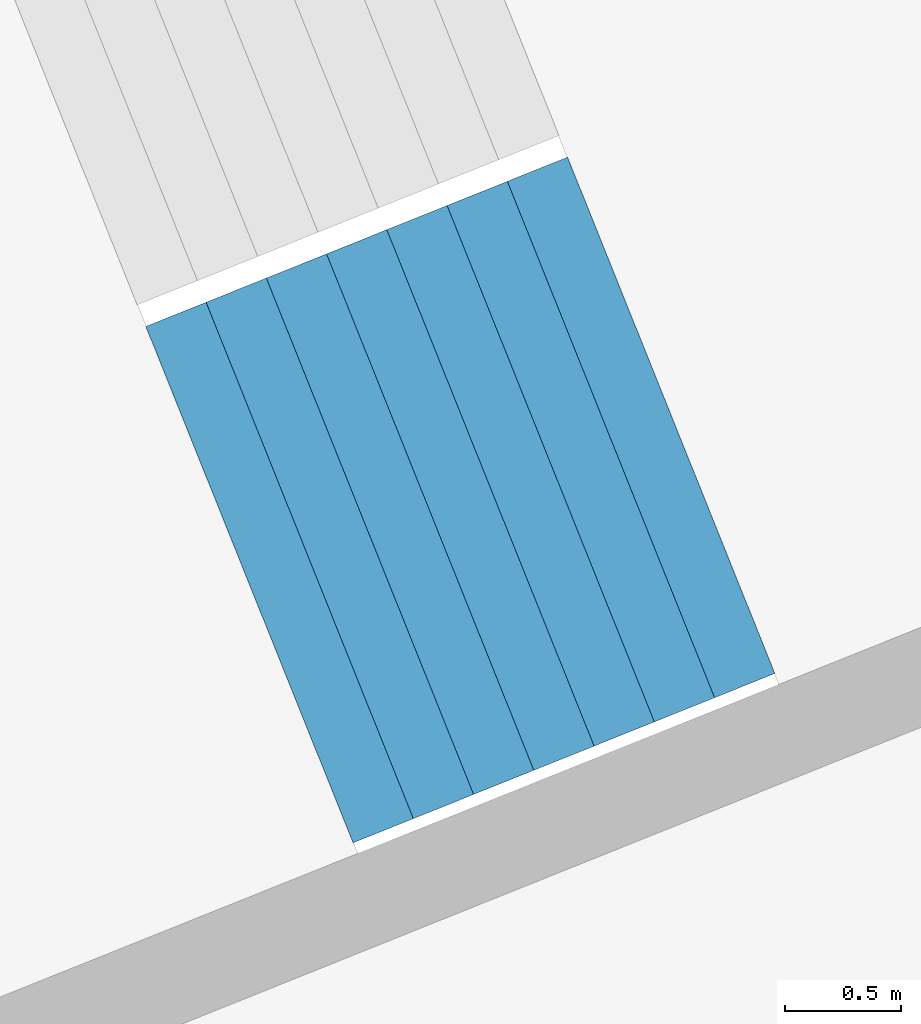
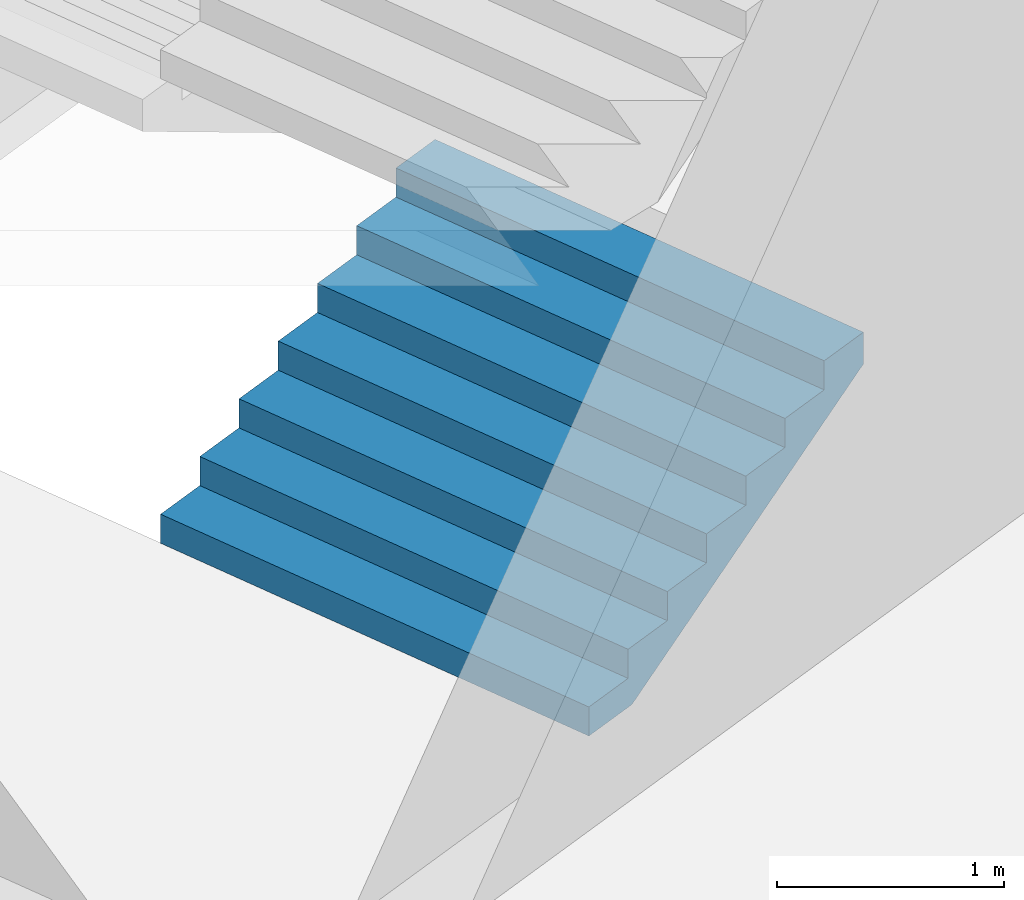
# One storey, part 65 of 73: 1 stair flight, 1 element without a shape of its own.
"""IFC4 building model written with IfcOpenShell, lengths in metres."""

import ifcopenshell
import ifcopenshell.guid

model = None  # the IFC model being written
_history = None  # IfcOwnerHistory: only IFC2X3 demands one
_inside = {}  # id of a spatial element -> (the spatial element, [elements in it])
_under = {}  # id of a project, library or spatial element -> (it, [spatial elements below it])
_declared = {}  # id of a project -> (the project, [libraries it declares])
_typed = {}  # id of a type object -> (the type object, [elements of that type])
_made_of = {}  # id of a material, layer set ... -> (it, [elements and type objects made of it])


def new_model(schema):
    """Start an empty IFC model of exactly this schema.

    Asked for "IFC4X3", IfcOpenShell would pick the latest addendum, in which some entities
    have other attributes; the version numbers below select the first issue.
    IFC2X3 requires an IfcOwnerHistory on every rooted entity: one is made here for all.
    """
    global model, _history
    if schema == "IFC4X3":
        model = ifcopenshell.file(schema_version=(4, 3, 0, 0))
    else:
        model = ifcopenshell.file(schema=schema)
    _inside.clear()
    _under.clear()
    _declared.clear()
    _typed.clear()
    _made_of.clear()
    _history = None
    if model.schema == "IFC2X3":
        org = make("IfcOrganization", Name="unknown")
        user = make(
            "IfcPersonAndOrganization",
            ThePerson=make("IfcPerson", FamilyName="unknown"),
            TheOrganization=org,
        )
        app = make(
            "IfcApplication",
            ApplicationDeveloper=org,
            Version="unknown",
            ApplicationFullName="unknown",
            ApplicationIdentifier="unknown",
        )
        _history = make(
            "IfcOwnerHistory",
            OwningUser=user,
            OwningApplication=app,
            ChangeAction="ADDED",
            CreationDate=0,
        )
    return model


def make(cls, **values):
    """One entity of the class cls with the attributes given. An attribute that is None is left unset."""
    return model.create_entity(
        cls, **{name: value for name, value in values.items() if value is not None}
    )


def rooted(cls, **values):
    """An entity with a GlobalId (a new one), such as an element, a storey or a relation."""
    return make(cls, GlobalId=ifcopenshell.guid.new(), OwnerHistory=_history, **values)


def si_unit(unit_type, name, prefix=None):
    """IfcSIUnit, for example si_unit("LENGTHUNIT", "METRE", prefix="MILLI")."""
    return make("IfcSIUnit", UnitType=unit_type, Prefix=prefix, Name=name)


def assignment(units):
    """IfcUnitAssignment: the units of a project."""
    return None if units is None else make("IfcUnitAssignment", Units=units)


def point(xyz):
    """IfcCartesianPoint."""
    return None if xyz is None else make("IfcCartesianPoint", Coordinates=xyz)


def direction(xyz):
    """IfcDirection."""
    return None if xyz is None else make("IfcDirection", DirectionRatios=xyz)


def frame(location, z_axis=None, x_axis=None):
    """IfcAxis2Placement3D, a coordinate frame: its origin and axes. An axis left out is left unset."""
    return make(
        "IfcAxis2Placement3D",
        Location=point(location),
        Axis=direction(z_axis),
        RefDirection=direction(x_axis),
    )


def origin():
    """The frame at (0, 0, 0) with its axes left unset."""
    return frame((0.0, 0.0, 0.0))


def place(relative_to, where):
    """IfcLocalPlacement: puts the frame where relative to a parent placement (None: the world)."""
    return make(
        "IfcLocalPlacement", PlacementRelTo=relative_to, RelativePlacement=where
    )


def context(
    kind, dimensions, precision=None, world=None, true_north=None, identifier=None
):
    """IfcGeometricRepresentationContext, for example the 3D "Model" context."""
    return make(
        "IfcGeometricRepresentationContext",
        ContextIdentifier=identifier,
        ContextType=kind,
        CoordinateSpaceDimension=dimensions,
        Precision=precision,
        WorldCoordinateSystem=world,
        TrueNorth=true_north,
    )


def subcontext(parent, identifier, kind, view, scale=None):
    """IfcGeometricRepresentationSubContext, for example "Body" below "Model"."""
    return make(
        "IfcGeometricRepresentationSubContext",
        ContextIdentifier=identifier,
        ContextType=kind,
        ParentContext=parent,
        TargetScale=scale,
        TargetView=view,
    )


def project(units=None, contexts=None):
    """IfcProject with its units and contexts."""
    return rooted(
        "IfcProject",
        Name="project",
        RepresentationContexts=contexts,
        UnitsInContext=assignment(units),
    )


def spatial(cls, under=None, at=None, **own):
    """A site, building, storey or space (cls), placed at a placement, below another one or the project."""
    s = rooted(cls, ObjectPlacement=at, **own)
    if under is not None:
        _under.setdefault(under.id(), (under, []))[1].append(s)
    return s


def point_list(points):
    """IfcCartesianPointList2D or 3D."""
    cls = (
        "IfcCartesianPointList2D" if len(points[0]) == 2 else "IfcCartesianPointList3D"
    )
    return make(cls, CoordList=points)


def triangles(points, corners, closed=None, point_numbers=None):
    """IfcTriangulatedFaceSet: each triangle names its three corners, points numbered from 1."""
    return make(
        "IfcTriangulatedFaceSet",
        Coordinates=point_list(points),
        Closed=closed,
        CoordIndex=corners,
        PnIndex=point_numbers,
    )


def shape(context_of_items, identifier, shape_type, items):
    """IfcShapeRepresentation: the items that make up one representation, for example the "Body"."""
    return make(
        "IfcShapeRepresentation",
        ContextOfItems=context_of_items,
        RepresentationIdentifier=identifier,
        RepresentationType=shape_type,
        Items=items,
    )


def material(Name=None, Category=None):
    """IfcMaterial."""
    return make("IfcMaterial", Name=Name, Category=Category)


def made_of(thing, what):
    """Note that an element or type object is made of a material, layer set ...; save() writes the relation."""
    if what is not None:
        _made_of.setdefault(what.id(), (what, []))[1].append(thing)
    return thing


def type_object(cls, material=None, **own):
    """A type object (cls), such as IfcWallType, which elements share."""
    return made_of(rooted(cls, **own), material)


def element(
    cls,
    number,
    at=None,
    inside=None,
    cuts=None,
    type_object=None,
    material=None,
    context=None,
    identifier="Body",
    shape_type=None,
    held_by="IfcProductDefinitionShape",
    body=None,
    shapes=None,
    **own,
):
    """One element of the class cls, such as IfcWall. Its Tag is "e" and its number.

    at: its placement. inside: the storey or other place that contains it. cuts: it is an
    opening in that element (IfcRelVoidsElement). A single representation is given by context,
    identifier, shape_type and body (its items); several are given by shapes. held_by: the class
    of the entity that holds the representations. save() writes the other relations.
    """
    e = rooted(cls, Tag="e%d" % number, ObjectPlacement=at, **own)
    if body is not None:
        shapes = [shape(context, identifier, shape_type, body)]
    if shapes is not None:
        e.Representation = make(held_by, Representations=shapes)
    if inside is not None:
        _inside.setdefault(inside.id(), (inside, []))[1].append(e)
    if cuts is not None:
        rooted(
            "IfcRelVoidsElement", RelatingBuildingElement=cuts, RelatedOpeningElement=e
        )
    if type_object is not None:
        _typed.setdefault(type_object.id(), (type_object, []))[1].append(e)
    return made_of(e, material)


def aggregate(whole, parts):
    """IfcRelAggregates: a whole, such as a stair, and the parts it consists of."""
    return rooted("IfcRelAggregates", RelatingObject=whole, RelatedObjects=parts)


def save(model, path):
    """Write the relations noted so far, then the file.

    IfcRelAggregates (storeys below a building ...), IfcRelContainedInSpatialStructure (elements
    in a storey), IfcRelDefinesByType, IfcRelAssociatesMaterial and IfcRelDeclares: one each for
    every whole, place, type object, material and project.
    """
    for whole, parts in _under.values():
        aggregate(whole, parts)
    for where, things in _inside.values():
        rooted(
            "IfcRelContainedInSpatialStructure",
            RelatedElements=things,
            RelatingStructure=where,
        )
    for kind, things in _typed.values():
        rooted("IfcRelDefinesByType", RelatedObjects=things, RelatingType=kind)
    for what, things in _made_of.values():
        rooted("IfcRelAssociatesMaterial", RelatedObjects=things, RelatingMaterial=what)
    for by, libraries in _declared.values():
        rooted("IfcRelDeclares", RelatingContext=by, RelatedDefinitions=libraries)
    model.write(path)


model = new_model("IFC4")

# Units and contexts
model_context = context("Model", 3, precision=1e-05, world=origin(), true_north=direction((0.0, 1.0)))
body_context = subcontext(model_context, "Body", "Model", "MODEL_VIEW")
ifc_project = project(units=[si_unit("LENGTHUNIT", "METRE"), si_unit("AREAUNIT", "SQUARE_METRE"), si_unit("VOLUMEUNIT", "CUBIC_METRE"), si_unit("PLANEANGLEUNIT", "RADIAN"), si_unit("MASSUNIT", "GRAM", prefix="KILO")], contexts=[model_context])

# Site, building, storey
site_placement = place(None, origin())
site = spatial("IfcSite", under=ifc_project, at=site_placement, CompositionType="ELEMENT")
building_placement = place(site_placement, origin())
building = spatial("IfcBuilding", under=site, at=building_placement, Name="Lantaw Convention Tower", CompositionType="ELEMENT")
storey_placement = place(building_placement, frame((0.0, 0.0, 22.0)))
storey = spatial("IfcBuildingStorey", under=building, at=storey_placement, Name="L03", CompositionType="ELEMENT", Elevation=22.0)

# Stair, stair flight
ifc_material = material(Name="Concrete C35/45", Category="concrete")
stair_type = type_object("IfcStairType", Name="Exit stair 2400 riser 156.25 in 4 flights", PredefinedType="HALF_TURN_STAIR", material=ifc_material)
stair_placement = place(storey_placement, origin())
stair = element("IfcStair", 1, at=stair_placement, inside=storey, type_object=stair_type, Name="Podium exit stair P2 L03", PredefinedType="HALF_TURN_STAIR")
stair_flight_type = type_object("IfcStairFlightType", Name="Stair flight 2400 riser 156.25", PredefinedType="STRAIGHT", material=ifc_material)
stair_flight_placement = place(storey_placement, frame((36.730712890625, 13.398193359375, 0.0), z_axis=(0.0, 0.0, 1.0), x_axis=(0.928015168305, 0.372542410198, 0.0)))
stair_flight = element("IfcStairFlight", 2, at=stair_flight_placement, type_object=stair_flight_type, Name="P2 flight 1", NumberOfRisers=8, NumberOfTreads=7, PredefinedType="STRAIGHT", RiserHeight=0.15625, TreadLength=0.28, context=body_context, shape_type="Tessellation", body=[
    triangles([(0.0, 1.199951171875, 0.0), (0.0, 1.199951171875, 0.15625), (0.28, 1.199951171875, 0.0), (0.28, 1.199951171875, 0.15625), (0.28, 1.199951171875, 0.3125), (0.3076200632058044, 1.199951171875, 0.0), (0.3076200632058044, 1.199951171875, 0.3125), (0.56, 1.199951171875, 0.14083701830033238), (0.56, 1.199951171875, 0.3125), (0.56, 1.199951171875, 0.46875), (0.8400000000000001, 1.199951171875, 0.29708701830033235), (0.8400000000000001, 1.199951171875, 0.46875), (0.8400000000000001, 1.199951171875, 0.625), (1.12, 1.199951171875, 0.45333701830033235), (1.12, 1.199951171875, 0.625), (1.12, 1.199951171875, 0.78125), (1.4000000000000001, 1.199951171875, 0.6095870183003324), (1.4000000000000001, 1.199951171875, 0.78125), (1.4000000000000001, 1.199951171875, 0.9375), (1.6800000000000002, 1.199951171875, 0.7658370183003324), (1.6800000000000002, 1.199951171875, 0.9375), (1.6800000000000002, 1.199951171875, 1.09375), (1.9600000000000002, 1.199951171875, 0.9220870183003324), (1.9600000000000002, 1.199951171875, 1.09375), (0.0, -1.199951171875, 0.0), (0.0, -1.199951171875, 0.15625), (0.28, -1.199951171875, 0.0), (0.28, -1.199951171875, 0.15625), (0.28, -1.199951171875, 0.3125), (0.3076200632058044, -1.199951171875, 0.0), (0.3076200632058044, -1.199951171875, 0.3125), (0.56, -1.199951171875, 0.14083701830033238), (0.56, -1.199951171875, 0.3125), (0.56, -1.199951171875, 0.46875), (0.8400000000000001, -1.199951171875, 0.29708701830033235), (0.8400000000000001, -1.199951171875, 0.46875), (0.8400000000000001, -1.199951171875, 0.625), (1.12, -1.199951171875, 0.45333701830033235), (1.12, -1.199951171875, 0.625), (1.12, -1.199951171875, 0.78125), (1.4000000000000001, -1.199951171875, 0.6095870183003324), (1.4000000000000001, -1.199951171875, 0.78125), (1.4000000000000001, -1.199951171875, 0.9375), (1.6800000000000002, -1.199951171875, 0.7658370183003324), (1.6800000000000002, -1.199951171875, 0.9375), (1.6800000000000002, -1.199951171875, 1.09375), (1.9600000000000002, -1.199951171875, 0.9220870183003324), (1.9600000000000002, -1.199951171875, 1.09375), (0.0, 0.239990234375, 0.15625), (0.0, 0.239990234375, 0.0), (0.0, 0.1919921875, 0.15625), (0.0, 0.1919921875, 0.0), (0.0, 0.143994140625, 0.15625), (0.0, 0.143994140625, 0.0), (0.0, 0.09599609375, 0.15625), (0.0, 0.09599609375, 0.0), (0.0, 0.047998046875, 0.15625), (0.0, 0.047998046875, 0.0), (0.0, 0.0, 0.15625), (0.0, 0.0, 0.0), (0.0, -0.047998046875, 0.15625), (0.0, -0.047998046875, 0.0), (0.0, -0.09599609375, 0.15625), (0.0, -0.09599609375, 0.0), (0.0, -0.143994140625, 0.15625), (0.0, -0.143994140625, 0.0), (0.0, -0.1919921875, 0.15625), (0.0, -0.1919921875, 0.0), (0.0, -0.239990234375, 0.15625), (0.0, -0.239990234375, 0.0), (0.28, 0.239990234375, 0.3125), (0.28, 0.239990234375, 0.15625), (0.28, 0.1919921875, 0.3125), (0.28, 0.1919921875, 0.15625), (0.28, 0.143994140625, 0.3125), (0.28, 0.143994140625, 0.15625), (0.28, 0.09599609375, 0.3125), (0.28, 0.09599609375, 0.15625), (0.28, 0.047998046875, 0.3125), (0.28, 0.047998046875, 0.15625), (0.28, 0.0, 0.3125), (0.28, 0.0, 0.15625), (0.28, -0.047998046875, 0.3125), (0.28, -0.047998046875, 0.15625), (0.28, -0.09599609375, 0.3125), (0.28, -0.09599609375, 0.15625), (0.28, -0.143994140625, 0.3125), (0.28, -0.143994140625, 0.15625), (0.28, -0.1919921875, 0.3125), (0.28, -0.1919921875, 0.15625), (0.28, -0.239990234375, 0.3125), (0.28, -0.239990234375, 0.15625), (0.56, 0.239990234375, 0.46875), (0.56, 0.239990234375, 0.3125), (0.56, 0.1919921875, 0.46875), (0.56, 0.1919921875, 0.3125), (0.56, 0.143994140625, 0.46875), (0.56, 0.143994140625, 0.3125), (0.56, 0.09599609375, 0.46875), (0.56, 0.09599609375, 0.3125), (0.56, 0.047998046875, 0.46875), (0.56, 0.047998046875, 0.3125), (0.56, 0.0, 0.46875), (0.56, 0.0, 0.3125), (0.56, -0.047998046875, 0.46875), (0.56, -0.047998046875, 0.3125), (0.56, -0.09599609375, 0.46875), (0.56, -0.09599609375, 0.3125), (0.56, -0.143994140625, 0.46875), (0.56, -0.143994140625, 0.3125), (0.56, -0.1919921875, 0.46875), (0.56, -0.1919921875, 0.3125), (0.56, -0.239990234375, 0.46875), (0.56, -0.239990234375, 0.3125), (0.8400000000000001, 0.239990234375, 0.625), (0.8400000000000001, 0.239990234375, 0.46875), (0.8400000000000001, 0.1919921875, 0.625), (0.8400000000000001, 0.1919921875, 0.46875), (0.8400000000000001, 0.143994140625, 0.625), (0.8400000000000001, 0.143994140625, 0.46875), (0.8400000000000001, 0.09599609375, 0.625), (0.8400000000000001, 0.09599609375, 0.46875), (0.8400000000000001, 0.047998046875, 0.625), (0.8400000000000001, 0.047998046875, 0.46875), (0.8400000000000001, 0.0, 0.625), (0.8400000000000001, 0.0, 0.46875), (0.8400000000000001, -0.047998046875, 0.625), (0.8400000000000001, -0.047998046875, 0.46875), (0.8400000000000001, -0.09599609375, 0.625), (0.8400000000000001, -0.09599609375, 0.46875), (0.8400000000000001, -0.143994140625, 0.625), (0.8400000000000001, -0.143994140625, 0.46875), (0.8400000000000001, -0.1919921875, 0.625), (0.8400000000000001, -0.1919921875, 0.46875), (0.8400000000000001, -0.239990234375, 0.625), (0.8400000000000001, -0.239990234375, 0.46875), (1.12, 0.239990234375, 0.78125), (1.12, 0.239990234375, 0.625), (1.12, 0.1919921875, 0.78125), (1.12, 0.1919921875, 0.625), (1.12, 0.143994140625, 0.78125), (1.12, 0.143994140625, 0.625), (1.12, 0.09599609375, 0.78125), (1.12, 0.09599609375, 0.625), (1.12, 0.047998046875, 0.78125), (1.12, 0.047998046875, 0.625), (1.12, 0.0, 0.78125), (1.12, 0.0, 0.625), (1.12, -0.047998046875, 0.78125), (1.12, -0.047998046875, 0.625), (1.12, -0.09599609375, 0.78125), (1.12, -0.09599609375, 0.625), (1.12, -0.143994140625, 0.78125), (1.12, -0.143994140625, 0.625), (1.12, -0.1919921875, 0.78125), (1.12, -0.1919921875, 0.625), (1.12, -0.239990234375, 0.78125), (1.12, -0.239990234375, 0.625), (1.4000000000000001, 0.239990234375, 0.9375), (1.4000000000000001, 0.239990234375, 0.78125), (1.4000000000000001, 0.1919921875, 0.9375), (1.4000000000000001, 0.1919921875, 0.78125), (1.4000000000000001, 0.143994140625, 0.9375), (1.4000000000000001, 0.143994140625, 0.78125), (1.4000000000000001, 0.09599609375, 0.9375), (1.4000000000000001, 0.09599609375, 0.78125), (1.4000000000000001, 0.047998046875, 0.9375), (1.4000000000000001, 0.047998046875, 0.78125), (1.4000000000000001, 0.0, 0.9375), (1.4000000000000001, 0.0, 0.78125), (1.4000000000000001, -0.047998046875, 0.9375), (1.4000000000000001, -0.047998046875, 0.78125), (1.4000000000000001, -0.09599609375, 0.9375), (1.4000000000000001, -0.09599609375, 0.78125), (1.4000000000000001, -0.143994140625, 0.9375), (1.4000000000000001, -0.143994140625, 0.78125), (1.4000000000000001, -0.1919921875, 0.9375), (1.4000000000000001, -0.1919921875, 0.78125), (1.4000000000000001, -0.239990234375, 0.9375), (1.4000000000000001, -0.239990234375, 0.78125), (1.6800000000000002, 0.239990234375, 1.09375), (1.6800000000000002, 0.239990234375, 0.9375), (1.6800000000000002, 0.1919921875, 1.09375), (1.6800000000000002, 0.1919921875, 0.9375), (1.6800000000000002, 0.143994140625, 1.09375), (1.6800000000000002, 0.143994140625, 0.9375), (1.6800000000000002, 0.09599609375, 1.09375), (1.6800000000000002, 0.09599609375, 0.9375), (1.6800000000000002, 0.047998046875, 1.09375), (1.6800000000000002, 0.047998046875, 0.9375), (1.6800000000000002, 0.0, 1.09375), (1.6800000000000002, 0.0, 0.9375), (1.6800000000000002, -0.047998046875, 1.09375), (1.6800000000000002, -0.047998046875, 0.9375), (1.6800000000000002, -0.09599609375, 1.09375), (1.6800000000000002, -0.09599609375, 0.9375), (1.6800000000000002, -0.143994140625, 1.09375), (1.6800000000000002, -0.143994140625, 0.9375), (1.6800000000000002, -0.1919921875, 1.09375), (1.6800000000000002, -0.1919921875, 0.9375), (1.6800000000000002, -0.239990234375, 1.09375), (1.6800000000000002, -0.239990234375, 0.9375), (0.3076200632058044, 0.239990234375, 0.3125), (0.3076200632058044, 0.1919921875, 0.3125), (0.3076200632058044, 0.143994140625, 0.3125), (0.3076200632058044, 0.09599609375, 0.3125), (0.3076200632058044, 0.047998046875, 0.3125), (0.3076200632058044, 0.0, 0.3125), (0.3076200632058044, -0.047998046875, 0.3125), (0.3076200632058044, -0.09599609375, 0.3125), (0.3076200632058044, -0.143994140625, 0.3125), (0.3076200632058044, -0.1919921875, 0.3125), (0.3076200632058044, -0.239990234375, 0.3125), (1.9600000000000002, 0.239990234375, 1.09375), (1.9600000000000002, 0.1919921875, 1.09375), (1.9600000000000002, 0.143994140625, 1.09375), (1.9600000000000002, 0.09599609375, 1.09375), (1.9600000000000002, 0.047998046875, 1.09375), (1.9600000000000002, 0.0, 1.09375), (1.9600000000000002, -0.047998046875, 1.09375), (1.9600000000000002, -0.09599609375, 1.09375), (1.9600000000000002, -0.143994140625, 1.09375), (1.9600000000000002, -0.1919921875, 1.09375), (1.9600000000000002, -0.239990234375, 1.09375), (1.9600000000000002, 0.239990234375, 0.9220870183003324), (1.9600000000000002, 0.1919921875, 0.9220870183003324), (1.9600000000000002, 0.143994140625, 0.9220870183003324), (1.9600000000000002, 0.09599609375, 0.9220870183003324), (1.9600000000000002, 0.047998046875, 0.9220870183003324), (1.9600000000000002, 0.0, 0.9220870183003324), (1.9600000000000002, -0.047998046875, 0.9220870183003324), (1.9600000000000002, -0.09599609375, 0.9220870183003324), (1.9600000000000002, -0.143994140625, 0.9220870183003324), (1.9600000000000002, -0.1919921875, 0.9220870183003324), (1.9600000000000002, -0.239990234375, 0.9220870183003324), (1.6800000000000002, 0.239990234375, 0.7658370183003324), (1.6800000000000002, 0.1919921875, 0.7658370183003324), (1.6800000000000002, 0.143994140625, 0.7658370183003324), (1.6800000000000002, 0.09599609375, 0.7658370183003324), (1.6800000000000002, 0.047998046875, 0.7658370183003324), (1.6800000000000002, 0.0, 0.7658370183003324), (1.6800000000000002, -0.047998046875, 0.7658370183003324), (1.6800000000000002, -0.09599609375, 0.7658370183003324), (1.6800000000000002, -0.143994140625, 0.7658370183003324), (1.6800000000000002, -0.1919921875, 0.7658370183003324), (1.6800000000000002, -0.239990234375, 0.7658370183003324), (1.4000000000000001, 0.239990234375, 0.6095870183003324), (1.4000000000000001, 0.1919921875, 0.6095870183003324), (1.4000000000000001, 0.143994140625, 0.6095870183003324), (1.4000000000000001, 0.09599609375, 0.6095870183003324), (1.4000000000000001, 0.047998046875, 0.6095870183003324), (1.4000000000000001, 0.0, 0.6095870183003324), (1.4000000000000001, -0.047998046875, 0.6095870183003324), (1.4000000000000001, -0.09599609375, 0.6095870183003324), (1.4000000000000001, -0.143994140625, 0.6095870183003324), (1.4000000000000001, -0.1919921875, 0.6095870183003324), (1.4000000000000001, -0.239990234375, 0.6095870183003324), (1.12, 0.239990234375, 0.45333701830033235), (1.12, 0.1919921875, 0.45333701830033235), (1.12, 0.143994140625, 0.45333701830033235), (1.12, 0.09599609375, 0.45333701830033235), (1.12, 0.047998046875, 0.45333701830033235), (1.12, 0.0, 0.45333701830033235), (1.12, -0.047998046875, 0.45333701830033235), (1.12, -0.09599609375, 0.45333701830033235), (1.12, -0.143994140625, 0.45333701830033235), (1.12, -0.1919921875, 0.45333701830033235), (1.12, -0.239990234375, 0.45333701830033235), (0.8400000000000001, 0.239990234375, 0.29708701830033235), (0.8400000000000001, 0.1919921875, 0.29708701830033235), (0.8400000000000001, 0.143994140625, 0.29708701830033235), (0.8400000000000001, 0.09599609375, 0.29708701830033235), (0.8400000000000001, 0.047998046875, 0.29708701830033235), (0.8400000000000001, 0.0, 0.29708701830033235), (0.8400000000000001, -0.047998046875, 0.29708701830033235), (0.8400000000000001, -0.09599609375, 0.29708701830033235), (0.8400000000000001, -0.143994140625, 0.29708701830033235), (0.8400000000000001, -0.1919921875, 0.29708701830033235), (0.8400000000000001, -0.239990234375, 0.29708701830033235), (0.56, 0.239990234375, 0.14083701830033238), (0.56, 0.1919921875, 0.14083701830033238), (0.56, 0.143994140625, 0.14083701830033238), (0.56, 0.09599609375, 0.14083701830033238), (0.56, 0.047998046875, 0.14083701830033238), (0.56, 0.0, 0.14083701830033238), (0.56, -0.047998046875, 0.14083701830033238), (0.56, -0.09599609375, 0.14083701830033238), (0.56, -0.143994140625, 0.14083701830033238), (0.56, -0.1919921875, 0.14083701830033238), (0.56, -0.239990234375, 0.14083701830033238), (0.3076200632058044, 0.239990234375, 0.0), (0.3076200632058044, 0.1919921875, 0.0), (0.3076200632058044, 0.143994140625, 0.0), (0.3076200632058044, 0.09599609375, 0.0), (0.3076200632058044, 0.047998046875, 0.0), (0.3076200632058044, 0.0, 0.0), (0.3076200632058044, -0.047998046875, 0.0), (0.3076200632058044, -0.09599609375, 0.0), (0.3076200632058044, -0.143994140625, 0.0), (0.3076200632058044, -0.1919921875, 0.0), (0.3076200632058044, -0.239990234375, 0.0), (0.28, 0.239990234375, 0.0), (0.28, 0.1919921875, 0.0), (0.28, 0.143994140625, 0.0), (0.28, 0.09599609375, 0.0), (0.28, 0.047998046875, 0.0), (0.28, 0.0, 0.0), (0.28, -0.047998046875, 0.0), (0.28, -0.09599609375, 0.0), (0.28, -0.143994140625, 0.0), (0.28, -0.1919921875, 0.0), (0.28, -0.239990234375, 0.0)], [[1, 4, 3], [1, 2, 4], [3, 4, 6], [4, 7, 6], [4, 5, 7], [6, 9, 8], [6, 7, 9], [8, 9, 11], [9, 12, 11], [9, 10, 12], [11, 12, 14], [12, 15, 14], [12, 13, 15], [14, 15, 17], [15, 18, 17], [15, 16, 18], [17, 18, 20], [18, 21, 20], [18, 19, 21], [20, 21, 23], [21, 24, 23], [21, 22, 24], [25, 27, 28], [25, 28, 26], [27, 30, 28], [28, 30, 31], [28, 31, 29], [30, 32, 33], [30, 33, 31], [32, 35, 33], [33, 35, 36], [33, 36, 34], [35, 38, 36], [36, 38, 39], [36, 39, 37], [38, 41, 39], [39, 41, 42], [39, 42, 40], [41, 44, 42], [42, 44, 45], [42, 45, 43], [44, 47, 45], [45, 47, 48], [45, 48, 46], [1, 49, 2], [1, 50, 49], [50, 51, 49], [50, 52, 51], [52, 53, 51], [52, 54, 53], [54, 55, 53], [54, 56, 55], [56, 57, 55], [56, 58, 57], [58, 59, 57], [58, 60, 59], [60, 61, 59], [60, 62, 61], [62, 63, 61], [62, 64, 63], [64, 65, 63], [64, 66, 65], [66, 67, 65], [66, 68, 67], [68, 69, 67], [68, 70, 69], [70, 26, 69], [70, 25, 26], [4, 71, 5], [4, 72, 71], [72, 73, 71], [72, 74, 73], [74, 75, 73], [74, 76, 75], [76, 77, 75], [76, 78, 77], [78, 79, 77], [78, 80, 79], [80, 81, 79], [80, 82, 81], [82, 83, 81], [82, 84, 83], [84, 85, 83], [84, 86, 85], [86, 87, 85], [86, 88, 87], [88, 89, 87], [88, 90, 89], [90, 91, 89], [90, 92, 91], [92, 29, 91], [92, 28, 29], [9, 93, 10], [9, 94, 93], [94, 95, 93], [94, 96, 95], [96, 97, 95], [96, 98, 97], [98, 99, 97], [98, 100, 99], [100, 101, 99], [100, 102, 101], [102, 103, 101], [102, 104, 103], [104, 105, 103], [104, 106, 105], [106, 107, 105], [106, 108, 107], [108, 109, 107], [108, 110, 109], [110, 111, 109], [110, 112, 111], [112, 113, 111], [112, 114, 113], [114, 34, 113], [114, 33, 34], [12, 115, 13], [12, 116, 115], [116, 117, 115], [116, 118, 117], [118, 119, 117], [118, 120, 119], [120, 121, 119], [120, 122, 121], [122, 123, 121], [122, 124, 123], [124, 125, 123], [124, 126, 125], [126, 127, 125], [126, 128, 127], [128, 129, 127], [128, 130, 129], [130, 131, 129], [130, 132, 131], [132, 133, 131], [132, 134, 133], [134, 135, 133], [134, 136, 135], [136, 37, 135], [136, 36, 37], [15, 137, 16], [15, 138, 137], [138, 139, 137], [138, 140, 139], [140, 141, 139], [140, 142, 141], [142, 143, 141], [142, 144, 143], [144, 145, 143], [144, 146, 145], [146, 147, 145], [146, 148, 147], [148, 149, 147], [148, 150, 149], [150, 151, 149], [150, 152, 151], [152, 153, 151], [152, 154, 153], [154, 155, 153], [154, 156, 155], [156, 157, 155], [156, 158, 157], [158, 40, 157], [158, 39, 40], [18, 159, 19], [18, 160, 159], [160, 161, 159], [160, 162, 161], [162, 163, 161], [162, 164, 163], [164, 165, 163], [164, 166, 165], [166, 167, 165], [166, 168, 167], [168, 169, 167], [168, 170, 169], [170, 171, 169], [170, 172, 171], [172, 173, 171], [172, 174, 173], [174, 175, 173], [174, 176, 175], [176, 177, 175], [176, 178, 177], [178, 179, 177], [178, 180, 179], [180, 43, 179], [180, 42, 43], [21, 181, 22], [21, 182, 181], [182, 183, 181], [182, 184, 183], [184, 185, 183], [184, 186, 185], [186, 187, 185], [186, 188, 187], [188, 189, 187], [188, 190, 189], [190, 191, 189], [190, 192, 191], [192, 193, 191], [192, 194, 193], [194, 195, 193], [194, 196, 195], [196, 197, 195], [196, 198, 197], [198, 199, 197], [198, 200, 199], [200, 201, 199], [200, 202, 201], [202, 46, 201], [202, 45, 46], [2, 72, 4], [2, 49, 72], [49, 74, 72], [49, 51, 74], [51, 76, 74], [51, 53, 76], [53, 78, 76], [53, 55, 78], [55, 80, 78], [55, 57, 80], [57, 82, 80], [57, 59, 82], [59, 84, 82], [59, 61, 84], [61, 86, 84], [61, 63, 86], [63, 88, 86], [63, 65, 88], [65, 90, 88], [65, 67, 90], [67, 92, 90], [67, 69, 92], [69, 28, 92], [69, 26, 28], [5, 203, 7], [5, 71, 203], [71, 204, 203], [71, 73, 204], [73, 205, 204], [73, 75, 205], [75, 206, 205], [75, 77, 206], [77, 207, 206], [77, 79, 207], [79, 208, 207], [79, 81, 208], [81, 209, 208], [81, 83, 209], [83, 210, 209], [83, 85, 210], [85, 211, 210], [85, 87, 211], [87, 212, 211], [87, 89, 212], [89, 213, 212], [89, 91, 213], [91, 31, 213], [91, 29, 31], [7, 94, 9], [7, 203, 94], [203, 96, 94], [203, 204, 96], [204, 98, 96], [204, 205, 98], [205, 100, 98], [205, 206, 100], [206, 102, 100], [206, 207, 102], [207, 104, 102], [207, 208, 104], [208, 106, 104], [208, 209, 106], [209, 108, 106], [209, 210, 108], [210, 110, 108], [210, 211, 110], [211, 112, 110], [211, 212, 112], [212, 114, 112], [212, 213, 114], [213, 33, 114], [213, 31, 33], [10, 116, 12], [10, 93, 116], [93, 118, 116], [93, 95, 118], [95, 120, 118], [95, 97, 120], [97, 122, 120], [97, 99, 122], [99, 124, 122], [99, 101, 124], [101, 126, 124], [101, 103, 126], [103, 128, 126], [103, 105, 128], [105, 130, 128], [105, 107, 130], [107, 132, 130], [107, 109, 132], [109, 134, 132], [109, 111, 134], [111, 136, 134], [111, 113, 136], [113, 36, 136], [113, 34, 36], [13, 138, 15], [13, 115, 138], [115, 140, 138], [115, 117, 140], [117, 142, 140], [117, 119, 142], [119, 144, 142], [119, 121, 144], [121, 146, 144], [121, 123, 146], [123, 148, 146], [123, 125, 148], [125, 150, 148], [125, 127, 150], [127, 152, 150], [127, 129, 152], [129, 154, 152], [129, 131, 154], [131, 156, 154], [131, 133, 156], [133, 158, 156], [133, 135, 158], [135, 39, 158], [135, 37, 39], [16, 160, 18], [16, 137, 160], [137, 162, 160], [137, 139, 162], [139, 164, 162], [139, 141, 164], [141, 166, 164], [141, 143, 166], [143, 168, 166], [143, 145, 168], [145, 170, 168], [145, 147, 170], [147, 172, 170], [147, 149, 172], [149, 174, 172], [149, 151, 174], [151, 176, 174], [151, 153, 176], [153, 178, 176], [153, 155, 178], [155, 180, 178], [155, 157, 180], [157, 42, 180], [157, 40, 42], [19, 182, 21], [19, 159, 182], [159, 184, 182], [159, 161, 184], [161, 186, 184], [161, 163, 186], [163, 188, 186], [163, 165, 188], [165, 190, 188], [165, 167, 190], [167, 192, 190], [167, 169, 192], [169, 194, 192], [169, 171, 194], [171, 196, 194], [171, 173, 196], [173, 198, 196], [173, 175, 198], [175, 200, 198], [175, 177, 200], [177, 202, 200], [177, 179, 202], [179, 45, 202], [179, 43, 45], [22, 214, 24], [22, 181, 214], [181, 215, 214], [181, 183, 215], [183, 216, 215], [183, 185, 216], [185, 217, 216], [185, 187, 217], [187, 218, 217], [187, 189, 218], [189, 219, 218], [189, 191, 219], [191, 220, 219], [191, 193, 220], [193, 221, 220], [193, 195, 221], [195, 222, 221], [195, 197, 222], [197, 223, 222], [197, 199, 223], [199, 224, 223], [199, 201, 224], [201, 48, 224], [201, 46, 48], [24, 225, 23], [24, 214, 225], [214, 226, 225], [214, 215, 226], [215, 227, 226], [215, 216, 227], [216, 228, 227], [216, 217, 228], [217, 229, 228], [217, 218, 229], [218, 230, 229], [218, 219, 230], [219, 231, 230], [219, 220, 231], [220, 232, 231], [220, 221, 232], [221, 233, 232], [221, 222, 233], [222, 234, 233], [222, 223, 234], [223, 235, 234], [223, 224, 235], [224, 47, 235], [224, 48, 47], [23, 236, 20], [23, 225, 236], [225, 237, 236], [225, 226, 237], [226, 238, 237], [226, 227, 238], [227, 239, 238], [227, 228, 239], [228, 240, 239], [228, 229, 240], [229, 241, 240], [229, 230, 241], [230, 242, 241], [230, 231, 242], [231, 243, 242], [231, 232, 243], [232, 244, 243], [232, 233, 244], [233, 245, 244], [233, 234, 245], [234, 246, 245], [234, 235, 246], [235, 44, 246], [235, 47, 44], [20, 247, 17], [20, 236, 247], [236, 248, 247], [236, 237, 248], [237, 249, 248], [237, 238, 249], [238, 250, 249], [238, 239, 250], [239, 251, 250], [239, 240, 251], [240, 252, 251], [240, 241, 252], [241, 253, 252], [241, 242, 253], [242, 254, 253], [242, 243, 254], [243, 255, 254], [243, 244, 255], [244, 256, 255], [244, 245, 256], [245, 257, 256], [245, 246, 257], [246, 41, 257], [246, 44, 41], [17, 258, 14], [17, 247, 258], [247, 259, 258], [247, 248, 259], [248, 260, 259], [248, 249, 260], [249, 261, 260], [249, 250, 261], [250, 262, 261], [250, 251, 262], [251, 263, 262], [251, 252, 263], [252, 264, 263], [252, 253, 264], [253, 265, 264], [253, 254, 265], [254, 266, 265], [254, 255, 266], [255, 267, 266], [255, 256, 267], [256, 268, 267], [256, 257, 268], [257, 38, 268], [257, 41, 38], [14, 269, 11], [14, 258, 269], [258, 270, 269], [258, 259, 270], [259, 271, 270], [259, 260, 271], [260, 272, 271], [260, 261, 272], [261, 273, 272], [261, 262, 273], [262, 274, 273], [262, 263, 274], [263, 275, 274], [263, 264, 275], [264, 276, 275], [264, 265, 276], [265, 277, 276], [265, 266, 277], [266, 278, 277], [266, 267, 278], [267, 279, 278], [267, 268, 279], [268, 35, 279], [268, 38, 35], [11, 280, 8], [11, 269, 280], [269, 281, 280], [269, 270, 281], [270, 282, 281], [270, 271, 282], [271, 283, 282], [271, 272, 283], [272, 284, 283], [272, 273, 284], [273, 285, 284], [273, 274, 285], [274, 286, 285], [274, 275, 286], [275, 287, 286], [275, 276, 287], [276, 288, 287], [276, 277, 288], [277, 289, 288], [277, 278, 289], [278, 290, 289], [278, 279, 290], [279, 32, 290], [279, 35, 32], [8, 291, 6], [8, 280, 291], [280, 292, 291], [280, 281, 292], [281, 293, 292], [281, 282, 293], [282, 294, 293], [282, 283, 294], [283, 295, 294], [283, 284, 295], [284, 296, 295], [284, 285, 296], [285, 297, 296], [285, 286, 297], [286, 298, 297], [286, 287, 298], [287, 299, 298], [287, 288, 299], [288, 300, 299], [288, 289, 300], [289, 301, 300], [289, 290, 301], [290, 30, 301], [290, 32, 30], [6, 302, 3], [6, 291, 302], [291, 303, 302], [291, 292, 303], [292, 304, 303], [292, 293, 304], [293, 305, 304], [293, 294, 305], [294, 306, 305], [294, 295, 306], [295, 307, 306], [295, 296, 307], [296, 308, 307], [296, 297, 308], [297, 309, 308], [297, 298, 309], [298, 310, 309], [298, 299, 310], [299, 311, 310], [299, 300, 311], [300, 312, 311], [300, 301, 312], [301, 27, 312], [301, 30, 27], [3, 50, 1], [3, 302, 50], [302, 52, 50], [302, 303, 52], [303, 54, 52], [303, 304, 54], [304, 56, 54], [304, 305, 56], [305, 58, 56], [305, 306, 58], [306, 60, 58], [306, 307, 60], [307, 62, 60], [307, 308, 62], [308, 64, 62], [308, 309, 64], [309, 66, 64], [309, 310, 66], [310, 68, 66], [310, 311, 68], [311, 70, 68], [311, 312, 70], [312, 25, 70], [312, 27, 25]], closed=True),
])
aggregate(stair, [stair_flight])

save(model, "model.ifc")
